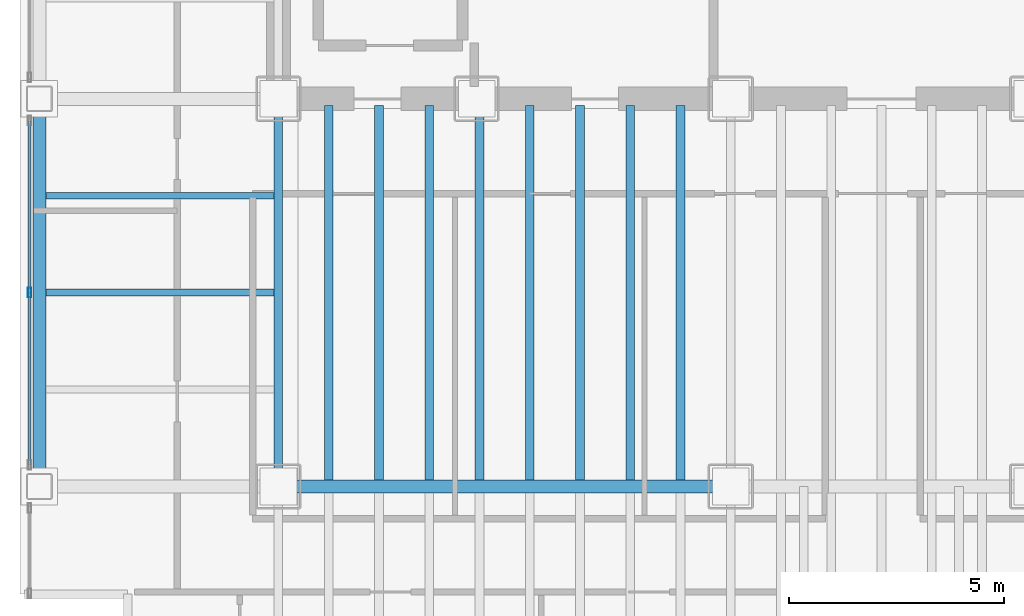
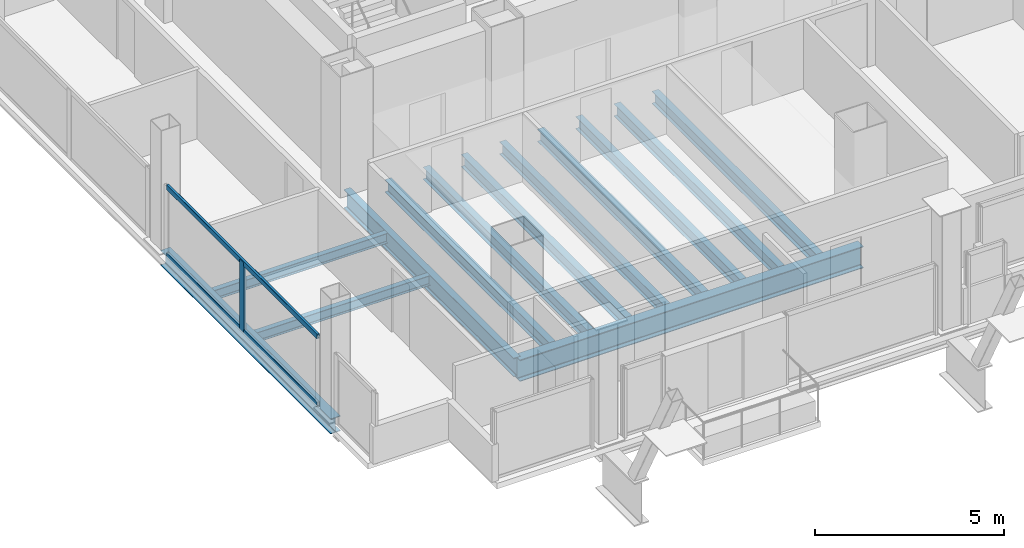
# One storey, part 3 of 21: 13 beams, 3 members, 1 element without a shape of its own.
"""IFC4 building model written with IfcOpenShell, lengths in metres."""

from ifc_helpers import new_model, si_unit, direction, frame, origin, origin_2d, place, context, subcontext, project, spatial, hollow_rectangle, i_section, extrude, material, material_profile, profile_set, type_object, element, aggregate, save


model = new_model("IFC4")

# Units and contexts
model_context = context("Model", 3, precision=1e-05, world=origin(), true_north=direction((0.0, 1.0)))
body_context = subcontext(model_context, "Body", "Model", "MODEL_VIEW")
ifc_project = project(units=[si_unit("LENGTHUNIT", "METRE"), si_unit("AREAUNIT", "SQUARE_METRE"), si_unit("VOLUMEUNIT", "CUBIC_METRE"), si_unit("PLANEANGLEUNIT", "RADIAN"), si_unit("MASSUNIT", "GRAM", prefix="KILO")], contexts=[model_context])

# Site, building, storey
site_placement = place(None, origin())
site = spatial("IfcSite", under=ifc_project, at=site_placement, CompositionType="ELEMENT")
building_placement = place(site_placement, origin())
building = spatial("IfcBuilding", under=site, at=building_placement, Name="Noeulbin Bourse Tower", CompositionType="ELEMENT")
storey_placement = place(building_placement, frame((0.0, 0.0, 77.199951171875)))
storey = spatial("IfcBuildingStorey", under=building, at=storey_placement, Name="L19", CompositionType="ELEMENT", Elevation=77.199951171875)

# Beams
ifc_material_1 = material(Name="Steel S355", Category="steel")
ifc_material_profile_1 = material_profile(ifc_material_1, i_section(OverallWidth=0.199951171875, OverallDepth=0.60009765625, WebThickness=0.010986328125, FlangeThickness=0.01708984375, FilletRadius=0.02197265625, at=origin_2d()), Name="H-600x200x11x17", Category="LoadBearing")
ifc_profile_set_1 = profile_set([ifc_material_profile_1], Name="Steel S355")
beam_type_1 = type_object("IfcBeamType", Name="BM-GRD-600", PredefinedType="USERDEFINED", material=ifc_profile_set_1)
beam_1_placement = place(storey_placement, frame((13.5, 20.0, -0.47998046875), z_axis=(0.0, 1.0, 0.0), x_axis=(-1.0, 0.0, 0.0)))
element("IfcBeam", 1, at=beam_1_placement, inside=storey, type_object=beam_type_1, Name="Tower Primary Girder NS L19-1.2", ObjectType="GIRDER", PredefinedType="USERDEFINED", context=body_context, shape_type="SweptSolid", body=[
    extrude(i_section(OverallWidth=0.199951171875, OverallDepth=0.60009765625, WebThickness=0.010986328125, FlangeThickness=0.01708984375, FilletRadius=0.02197265625, at=origin_2d()), origin(), (0.0, 0.0, 1.0), 9.0),
])
ifc_material_profile_2 = material_profile(ifc_material_1, i_section(OverallWidth=0.300048828125, OverallDepth=0.699951171875, WebThickness=0.012939453125, FlangeThickness=0.02392578125, FilletRadius=0.02392578125, at=origin_2d()), Name="H-700x300x13x24", Category="LoadBearing")
ifc_profile_set_2 = profile_set([ifc_material_profile_2], Name="Steel S355")
beam_type_2 = type_object("IfcBeamType", Name="BM-GRD-700", PredefinedType="USERDEFINED", material=ifc_profile_set_2)
beam_2_placement = place(storey_placement, frame((13.5, 20.0, -0.530029296875), z_axis=(1.0, 0.0, 0.0), x_axis=(0.0, 1.0, 0.0)))
element("IfcBeam", 2, at=beam_2_placement, inside=storey, type_object=beam_type_2, Name="Tower Primary Girder EW L19-1.2", ObjectType="GIRDER", PredefinedType="USERDEFINED", context=body_context, shape_type="SweptSolid", body=[
    extrude(i_section(OverallWidth=0.300048828125, OverallDepth=0.699951171875, WebThickness=0.012939453125, FlangeThickness=0.02392578125, FilletRadius=0.02392578125, at=origin_2d()), origin(), (0.0, 0.0, 1.0), 10.5),
])
ifc_material_profile_3 = material_profile(ifc_material_1, i_section(OverallWidth=0.159912109375, OverallDepth=0.320068359375, WebThickness=0.006591796875, FlangeThickness=0.010009765625, FilletRadius=0.012939453125, at=origin_2d()), Name="H-320x160x6.5x10", Category="LoadBearing")
ifc_profile_set_3 = profile_set([ifc_material_profile_3], Name="Steel S355")
beam_type_3 = type_object("IfcBeamType", Name="BM-JST-320", PredefinedType="JOIST", material=ifc_profile_set_3)
for number, where, z_axis, x_axis, name in (
    (3, (8.10009765625, 24.5, -0.33984375), (1.0, 0.0, 0.0), (0.0, 1.0, 0.0), "Wing Composite Joist L19-W71"),
    (4, (8.10009765625, 26.75, -0.33984375), (1.0, 0.0, 0.0), (0.0, 1.0, 0.0), "Wing Composite Joist L19-W72"),
):
    element("IfcBeam", number, at=place(storey_placement, frame(where, z_axis=z_axis, x_axis=x_axis)), inside=storey, type_object=beam_type_3, Name=name, PredefinedType="JOIST", context=body_context, shape_type="SweptSolid", body=[
        extrude(i_section(OverallWidth=0.159912109375, OverallDepth=0.320068359375, WebThickness=0.006591796875, FlangeThickness=0.010009765625, FilletRadius=0.012939453125, at=origin_2d()), origin(), (0.0, 0.0, 1.0), 5.2998046875),
    ])
ifc_material_profile_4 = material_profile(ifc_material_1, i_section(OverallWidth=0.199951171875, OverallDepth=0.39990234375, WebThickness=0.008056640625, FlangeThickness=0.012939453125, FilletRadius=0.01611328125, at=origin_2d()), Name="H-400x200x8x13", Category="LoadBearing")
ifc_profile_set_4 = profile_set([ifc_material_profile_4], Name="Steel S355")
beam_type_4 = type_object("IfcBeamType", Name="BM-SEC-400", PredefinedType="BEAM", material=ifc_profile_set_4)
for number, where, z_axis, x_axis, name in (
    (5, (14.666748046875, 20.14990234375, -0.3798828125), (0.0, 1.0, 0.0), (-1.0, 0.0, 0.0), "Tower Composite Joist L19-02"),
    (6, (15.833251953125, 20.14990234375, -0.3798828125), (0.0, 1.0, 0.0), (-1.0, 0.0, 0.0), "Tower Composite Joist L19-05"),
    (7, (17.0, 20.14990234375, -0.3798828125), (0.0, 1.0, 0.0), (-1.0, 0.0, 0.0), "Tower Composite Joist L19-08"),
    (8, (18.166748046875, 20.14990234375, -0.3798828125), (0.0, 1.0, 0.0), (-1.0, 0.0, 0.0), "Tower Composite Joist L19-11"),
    (9, (19.333251953125, 20.14990234375, -0.3798828125), (0.0, 1.0, 0.0), (-1.0, 0.0, 0.0), "Tower Composite Joist L19-14"),
    (10, (20.5, 20.14990234375, -0.3798828125), (0.0, 1.0, 0.0), (-1.0, 0.0, 0.0), "Tower Composite Joist L19-17"),
    (11, (21.666748046875, 20.14990234375, -0.3798828125), (0.0, 1.0, 0.0), (-1.0, 0.0, 0.0), "Tower Composite Joist L19-20"),
    (12, (22.833251953125, 20.14990234375, -0.3798828125), (0.0, 1.0, 0.0), (-1.0, 0.0, 0.0), "Tower Composite Joist L19-23"),
):
    element("IfcBeam", number, at=place(storey_placement, frame(where, z_axis=z_axis, x_axis=x_axis)), inside=storey, type_object=beam_type_4, Name=name, PredefinedType="BEAM", context=body_context, shape_type="SweptSolid", body=[
        extrude(i_section(OverallWidth=0.199951171875, OverallDepth=0.39990234375, WebThickness=0.008056640625, FlangeThickness=0.012939453125, FilletRadius=0.01611328125, at=origin_2d()), origin(), (0.0, 0.0, 1.0), 8.7001953125),
    ])
ifc_material_profile_5 = material_profile(ifc_material_1, i_section(OverallWidth=0.300048828125, OverallDepth=0.488037109375, WebThickness=0.010986328125, FlangeThickness=0.01806640625, FilletRadius=0.02197265625, at=origin_2d()), Name="H-488x300x11x18", Category="LoadBearing")
ifc_profile_set_5 = profile_set([ifc_material_profile_5], Name="Steel S355")
beam_type_5 = type_object("IfcBeamType", Name="BM-SPN-488", PredefinedType="SPANDREL", material=ifc_profile_set_5)
beam_3_placement = place(storey_placement, frame((7.949951171875, 20.0, -0.424072265625), z_axis=(0.0, 1.0, 0.0), x_axis=(-1.0, 0.0, 0.0)))
element("IfcBeam", 13, at=beam_3_placement, inside=storey, type_object=beam_type_5, Name="West Spandrel L19-1", PredefinedType="SPANDREL", context=body_context, shape_type="SweptSolid", body=[
    extrude(i_section(OverallWidth=0.300048828125, OverallDepth=0.488037109375, WebThickness=0.010986328125, FlangeThickness=0.01806640625, FilletRadius=0.02197265625, at=origin_2d()), origin(), (0.0, 0.0, 1.0), 9.0),
])

# Curtain wall, members
ifc_material_2 = material(Name="Dark Solar-Control Double Glazing", Category="glass")
curtain_wall_type = type_object("IfcCurtainWallType", Name="CW-SYS-2", PredefinedType="NOTDEFINED", material=ifc_material_2)
curtain_wall_placement = place(storey_placement, origin())
curtain_wall = element("IfcCurtainWall", 14, at=curtain_wall_placement, inside=storey, type_object=curtain_wall_type, Name="Unitised Curtain Wall CW-L19-W-S2", PredefinedType="NOTDEFINED")
ifc_material_3 = material(Name="Anodised Aluminium 6063-T6", Category="aluminium")
ifc_material_profile_6 = material_profile(ifc_material_3, hollow_rectangle(XDim=0.074951171875, YDim=0.219970703125, WallThickness=0.0048828125, InnerFilletRadius=0.00244140625, OuterFilletRadius=0.0048828125, at=origin_2d()), Name="ALU-MULL-75x220x5", Category="LoadBearing")
ifc_profile_set_6 = profile_set([ifc_material_profile_6], Name="Anodised Aluminium 6063-T6")
member_type_1 = type_object("IfcMemberType", Name="CW-SYS-2-MUL", PredefinedType="MULLION", material=ifc_profile_set_6)
member_1_placement = place(storey_placement, frame((7.719970703125, 24.5, -0.02001953125), z_axis=(0.0, 0.0, 1.0), x_axis=(1.0, 0.0, 0.0)))
member_1 = element("IfcMember", 15, at=member_1_placement, type_object=member_type_1, Name="Curtain Wall Mullion CW-L19-W-S2-M01", PredefinedType="MULLION", context=body_context, shape_type="SweptSolid", body=[
    extrude(hollow_rectangle(XDim=0.074951171875, YDim=0.219970703125, WallThickness=0.0048828125, InnerFilletRadius=0.00244140625, OuterFilletRadius=0.0048828125, at=origin_2d()), origin(), (0.0, 0.0, 1.0), 2.260009765625),
])
ifc_material_profile_7 = material_profile(ifc_material_3, hollow_rectangle(XDim=0.074951171875, YDim=0.159912109375, WallThickness=0.0048828125, InnerFilletRadius=0.00244140625, OuterFilletRadius=0.0048828125, at=origin_2d()), Name="ALU-TRAN-75x160x5", Category="LoadBearing")
ifc_profile_set_7 = profile_set([ifc_material_profile_7], Name="Anodised Aluminium 6063-T6")
member_type_2 = type_object("IfcMemberType", Name="CW-SYS-2-TRN", PredefinedType="USERDEFINED", material=ifc_profile_set_7)
member_2_placement = place(storey_placement, frame((7.719970703125, 20.510009765625, 0.010009765625), z_axis=(0.0, 1.0, 0.0), x_axis=(-1.0, 0.0, 0.0)))
member_2 = element("IfcMember", 16, at=member_2_placement, type_object=member_type_2, Name="Curtain Wall Transom CW-L19-W-S2-T00", ObjectType="TRANSOM", PredefinedType="USERDEFINED", context=body_context, shape_type="SweptSolid", body=[
    extrude(hollow_rectangle(XDim=0.074951171875, YDim=0.159912109375, WallThickness=0.0048828125, InnerFilletRadius=0.00244140625, OuterFilletRadius=0.0048828125, at=origin_2d()), origin(), (0.0, 0.0, 1.0), 7.97998046875),
])
member_3_placement = place(storey_placement, frame((7.719970703125, 20.510009765625, 2.2099609375), z_axis=(0.0, 1.0, 0.0), x_axis=(-1.0, 0.0, 0.0)))
member_3 = element("IfcMember", 17, at=member_3_placement, type_object=member_type_2, Name="Curtain Wall Transom CW-L19-W-S2-T01", ObjectType="TRANSOM", PredefinedType="USERDEFINED", context=body_context, shape_type="SweptSolid", body=[
    extrude(hollow_rectangle(XDim=0.074951171875, YDim=0.159912109375, WallThickness=0.0048828125, InnerFilletRadius=0.00244140625, OuterFilletRadius=0.0048828125, at=origin_2d()), origin(), (0.0, 0.0, 1.0), 7.97998046875),
])
aggregate(curtain_wall, [member_1, member_2, member_3])

save(model, "model.ifc")
